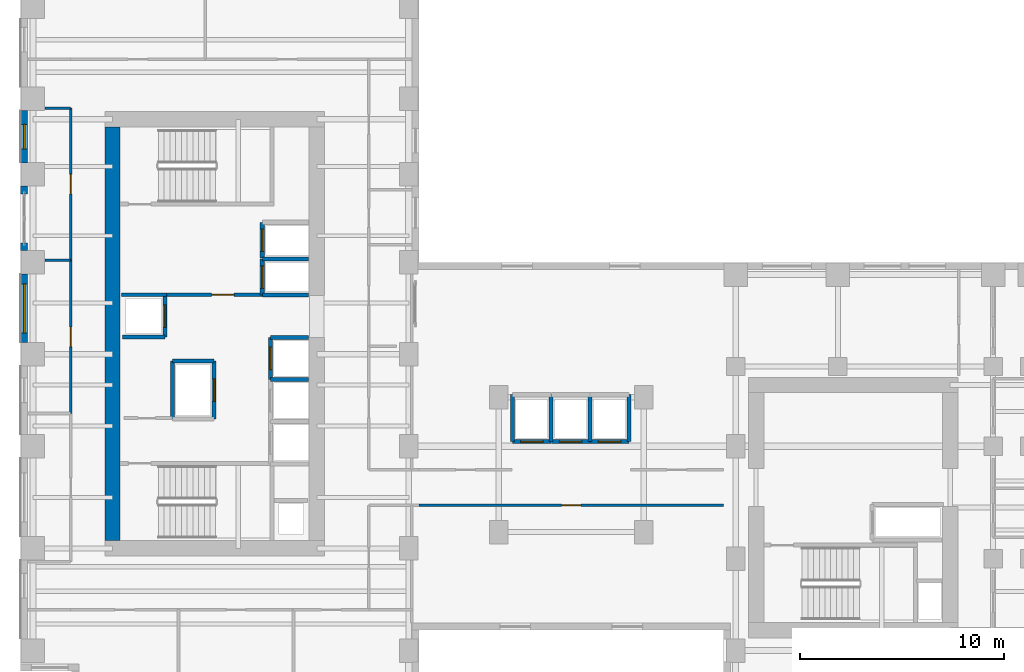
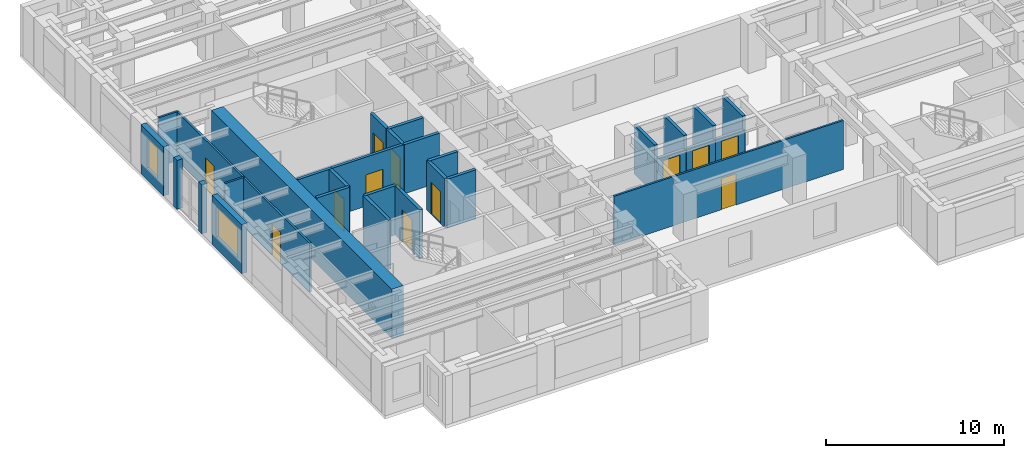
# One storey, part 8 of 14: 31 walls, 12 doors, 2 windows, 14 openings.
"""IFC4 building model written with IfcOpenShell, lengths in metres."""

from ifc_helpers import new_model, si_unit, direction, frame, frame_2d, origin, place, context, subcontext, project, spatial, rectangle, extrude, source, transform, mapped, material, layer, layer_set, type_object, element, fill, save


model = new_model("IFC4")

# Units and contexts
model_context = context("Model", 3, precision=1e-05, world=origin(), true_north=direction((0.0, 1.0)))
body_context = subcontext(model_context, "Body", "Model", "MODEL_VIEW")
ifc_project = project(units=[si_unit("LENGTHUNIT", "METRE"), si_unit("AREAUNIT", "SQUARE_METRE"), si_unit("VOLUMEUNIT", "CUBIC_METRE"), si_unit("PLANEANGLEUNIT", "RADIAN"), si_unit("MASSUNIT", "GRAM", prefix="KILO")], contexts=[model_context])

# Site, building, storey
site_placement = place(None, origin())
site = spatial("IfcSite", under=ifc_project, at=site_placement, CompositionType="ELEMENT")
building_placement = place(site_placement, origin())
building = spatial("IfcBuilding", under=site, at=building_placement, Name="Kharzan Plaza Tower", CompositionType="ELEMENT")
storey_placement = place(building_placement, frame((0.0, 0.0, 81.0)))
storey = spatial("IfcBuildingStorey", under=building, at=storey_placement, Name="L21", CompositionType="ELEMENT", Elevation=81.0)

# Wall, opening, window
ifc_material_1 = material(Name="Concrete C40/50", Category="concrete")
ifc_layer_1 = layer(ifc_material_1, 0.35009765625)
ifc_layer_set_1 = layer_set([ifc_layer_1], Name="Concrete C40/50")
wall_type_1 = type_object("IfcWallType", Name="WL-EXT-MAS-Z2", PredefinedType="SOLIDWALL", material=ifc_layer_set_1)
wall_1_placement = place(storey_placement, frame((0.175048828125, 29.927001953125, 0.0), z_axis=(0.0, 0.0, 1.0), x_axis=(0.0, -1.0, 0.0)))
wall_1 = element("IfcWall", 1, at=wall_1_placement, inside=storey, type_object=wall_type_1, Name="L21 Masonry-Frame Exterior Wall 13", PredefinedType="SOLIDWALL", context=body_context, shape_type="SweptSolid", body=[
    extrude(rectangle(XDim=2.553955078125, YDim=0.35009765625, at=frame_2d((1.27685546875, 0.0))), origin(), (0.0, 0.0, 1.0), 3.364990234375),
])
opening_1_placement = place(wall_1_placement, frame((0.677001953125, 0.0, 0.780029296875)))
opening_1 = element("IfcOpeningElement", 2, at=opening_1_placement, cuts=wall_1, Name="Opening W3", PredefinedType="OPENING", context=body_context, shape_type="SweptSolid", body=[
    extrude(rectangle(XDim=1.199951171875, YDim=2.10009765625, at=frame_2d((0.60009765625, 1.050048828125))), frame((0.0, 0.18505859375, 0.0), z_axis=(0.0, -1.0, 0.0), x_axis=(1.0, 0.0, 0.0)), (0.0, 0.0, 1.0), 0.3701171875),
])
ifc_material_2 = material(Name="Low-E Double Glazing", Category="glass")
window_type_1 = type_object("IfcWindowType", Name="WN-REC-1200x2100", PartitioningType="SINGLE_PANEL", PredefinedType="WINDOW", material=ifc_material_2)
shared_shape_1 = source(origin(), body_context, "Body", "SweptSolid", [
    extrude(rectangle(XDim=1.199951171875, YDim=2.10009765625, at=frame_2d((0.60009765625, 1.050048828125))), frame((0.0, 0.030029296875, 0.0), z_axis=(0.0, -1.0, 0.0), x_axis=(1.0, 0.0, 0.0)), (0.0, 0.0, 1.0), 0.06005859375),
])
window_1_placement = place(opening_1_placement, origin())
window_1 = element("IfcWindow", 3, at=window_1_placement, inside=storey, type_object=window_type_1, Name="L21 Recessed Solar-Control Window 13-1", OverallHeight=2.10009765625, OverallWidth=1.199951171875, PartitioningType="SINGLE_PANEL", PredefinedType="WINDOW", context=body_context, shape_type="MappedRepresentation", body=[
    mapped(shared_shape_1, transform((0.0, 0.0, 0.0), x_axis=(1.0, 0.0, 0.0), y_axis=(0.0, 1.0, 0.0), z_axis=(0.0, 0.0, 1.0))),
])
fill(opening_1, window_1)

wall_2_placement = place(storey_placement, frame((0.175048828125, 21.927001953125, 0.0), z_axis=(0.0, 0.0, 1.0), x_axis=(0.0, -1.0, 0.0)))
wall_2 = element("IfcWall", 4, at=wall_2_placement, inside=storey, type_object=wall_type_1, Name="L21 Masonry-Frame Exterior Wall 16", PredefinedType="SOLIDWALL", context=body_context, shape_type="SweptSolid", body=[
    extrude(rectangle(XDim=3.35400390625, YDim=0.35009765625, at=frame_2d((1.677001953125, 0.0))), origin(), (0.0, 0.0, 1.0), 3.364990234375),
])
opening_2_placement = place(wall_2_placement, frame((0.47705078125, 0.0, 0.780029296875)))
opening_2 = element("IfcOpeningElement", 5, at=opening_2_placement, cuts=wall_2, Name="Opening W2", PredefinedType="OPENING", context=body_context, shape_type="SweptSolid", body=[
    extrude(rectangle(XDim=2.39990234375, YDim=2.10009765625, at=frame_2d((1.199951171875, 1.050048828125))), frame((0.0, 0.18505859375, 0.0), z_axis=(0.0, -1.0, 0.0), x_axis=(1.0, 0.0, 0.0)), (0.0, 0.0, 1.0), 0.3701171875),
])
window_type_2 = type_object("IfcWindowType", Name="WN-REC-2400x2100", PartitioningType="SINGLE_PANEL", PredefinedType="WINDOW", material=ifc_material_2)
shared_shape_2 = source(origin(), body_context, "Body", "SweptSolid", [
    extrude(rectangle(XDim=2.39990234375, YDim=2.10009765625, at=frame_2d((1.199951171875, 1.050048828125))), frame((0.0, 0.030029296875, 0.0), z_axis=(0.0, -1.0, 0.0), x_axis=(1.0, 0.0, 0.0)), (0.0, 0.0, 1.0), 0.06005859375),
])
window_2_placement = place(opening_2_placement, origin())
window_2 = element("IfcWindow", 6, at=window_2_placement, inside=storey, type_object=window_type_2, Name="L21 Wide Recessed Solar-Control Window 16-1", OverallHeight=2.10009765625, OverallWidth=2.39990234375, PartitioningType="SINGLE_PANEL", PredefinedType="WINDOW", context=body_context, shape_type="MappedRepresentation", body=[
    mapped(shared_shape_2, transform((0.0, 0.0, 0.0), x_axis=(1.0, 0.0, 0.0), y_axis=(0.0, 1.0, 0.0), z_axis=(0.0, 0.0, 1.0))),
])
fill(opening_2, window_2)

# Wall, opening, door
ifc_layer_2 = layer(ifc_material_1, 0.179931640625)
ifc_layer_set_2 = layer_set([ifc_layer_2], Name="Concrete C40/50")
wall_type_2 = type_object("IfcWallType", Name="WL-INT-FIRE-180", PredefinedType="PARTITIONING", material=ifc_layer_set_2)
wall_3_placement = place(storey_placement, frame((7.14990234375, 20.919921875, 0.0), z_axis=(0.0, 0.0, 1.0), x_axis=(1.0, 0.0, 0.0)))
wall_3 = element("IfcWall", 7, at=wall_3_placement, inside=storey, type_object=wall_type_2, Name="L21 Interior Partition CA-FF-S", PredefinedType="PARTITIONING", context=body_context, shape_type="SweptSolid", body=[
    extrude(rectangle(XDim=4.68017578125, YDim=0.179931640625, at=frame_2d((2.340087890625, 0.0))), origin(), (0.0, 0.0, 1.0), 3.364990234375),
])
opening_3_placement = place(wall_3_placement, frame((2.199951171875, 0.0, 0.0)))
opening_3 = element("IfcOpeningElement", 8, at=opening_3_placement, cuts=wall_3, Name="Opening FD1", PredefinedType="OPENING", context=body_context, shape_type="SweptSolid", body=[
    extrude(rectangle(XDim=1.10009765625, YDim=2.14990234375, at=frame_2d((0.550048828125, 1.074951171875))), frame((0.0, 0.099853515625, 0.0), z_axis=(0.0, -1.0, 0.0), x_axis=(1.0, 0.0, 0.0)), (0.0, 0.0, 1.0), 0.199951171875),
])
ifc_material_3 = material(Name="Fire-Rated Acoustic Vision-Panel Steel", Category="steel")
door_type_1 = type_object("IfcDoorType", Name="DR-FIRE-LOBBY", OperationType="NOTDEFINED", PredefinedType="DOOR", material=ifc_material_3)
shared_shape_3 = source(origin(), body_context, "Body", "SweptSolid", [
    extrude(rectangle(XDim=1.10009765625, YDim=2.14990234375, at=frame_2d((0.550048828125, 1.074951171875))), frame((0.0, 0.02490234375, 0.0), z_axis=(0.0, -1.0, 0.0), x_axis=(1.0, 0.0, 0.0)), (0.0, 0.0, 1.0), 0.050048828125),
])
door_1_placement = place(opening_3_placement, origin())
door_1 = element("IfcDoor", 9, at=door_1_placement, inside=storey, type_object=door_type_1, Name="L21 Firefighting Lobby Door", OperationType="SINGLE_SWING_LEFT", OverallHeight=2.14990234375, OverallWidth=1.10009765625, PredefinedType="DOOR", context=body_context, shape_type="MappedRepresentation", body=[
    mapped(shared_shape_3, transform((0.0, 0.0, 0.0), x_axis=(1.0, 0.0, 0.0), y_axis=(0.0, 1.0, 0.0), z_axis=(0.0, 0.0, 1.0))),
])
fill(opening_3, door_1)

ifc_material_4 = material(Name="Fire-Rated Gypsum Board Partition", Category="gypsum")
ifc_layer_3 = layer(ifc_material_4, 0.125)
ifc_layer_set_3 = layer_set([ifc_layer_3], Name="Fire-Rated Gypsum Board Partition")
wall_type_3 = type_object("IfcWallType", Name="WL-INT-PART-125", PredefinedType="PARTITIONING", material=ifc_layer_set_3)
wall_4_placement = place(storey_placement, frame((19.5, 10.60009765625, 0.0), z_axis=(0.0, 0.0, 1.0), x_axis=(1.0, 0.0, 0.0)))
wall_4 = element("IfcWall", 10, at=wall_4_placement, inside=storey, type_object=wall_type_3, Name="L21 Interior Partition SH-SPS1", PredefinedType="PARTITIONING", context=body_context, shape_type="SweptSolid", body=[
    extrude(rectangle(XDim=14.89990234375, YDim=0.125, at=frame_2d((7.449951171875, 0.0))), origin(), (0.0, 0.0, 1.0), 3.364990234375),
])
opening_4_placement = place(wall_4_placement, frame((6.97509765625, 0.0, 0.0)))
opening_4 = element("IfcOpeningElement", 11, at=opening_4_placement, cuts=wall_4, Name="Opening OD1", PredefinedType="OPENING", context=body_context, shape_type="SweptSolid", body=[
    extrude(rectangle(XDim=0.949951171875, YDim=2.14990234375, at=frame_2d((0.47509765625, 1.074951171875))), frame((0.0, 0.072509765625, 0.0), z_axis=(0.0, -1.0, 0.0), x_axis=(1.0, 0.0, 0.0)), (0.0, 0.0, 1.0), 0.14501953125),
])
ifc_material_5 = material(Name="Acoustic Solid-Core Stained Oak", Category="timber")
door_type_2 = type_object("IfcDoorType", Name="DR-OFF-SINGLE", OperationType="NOTDEFINED", PredefinedType="DOOR", material=ifc_material_5)
shared_shape_4 = source(origin(), body_context, "Body", "SweptSolid", [
    extrude(rectangle(XDim=0.949951171875, YDim=2.14990234375, at=frame_2d((0.47509765625, 1.074951171875))), frame((0.0, 0.02490234375, 0.0), z_axis=(0.0, -1.0, 0.0), x_axis=(1.0, 0.0, 0.0)), (0.0, 0.0, 1.0), 0.050048828125),
])
door_2_placement = place(opening_4_placement, origin())
door_2 = element("IfcDoor", 12, at=door_2_placement, inside=storey, type_object=door_type_2, Name="L21 South Spine Studio Door", OperationType="SINGLE_SWING_LEFT", OverallHeight=2.14990234375, OverallWidth=0.949951171875, PredefinedType="DOOR", context=body_context, shape_type="MappedRepresentation", body=[
    mapped(shared_shape_4, transform((0.0, 0.0, 0.0), x_axis=(1.0, 0.0, 0.0), y_axis=(0.0, 1.0, 0.0), z_axis=(0.0, 0.0, 1.0))),
])
fill(opening_4, door_2)

wall_5_placement = place(storey_placement, frame((2.449951171875, 15.10009765625, 0.0), z_axis=(0.0, 0.0, 1.0), x_axis=(0.0, 1.0, 0.0)))
wall_5 = element("IfcWall", 13, at=wall_5_placement, inside=storey, type_object=wall_type_3, Name="L21 Interior Partition SH-WW-2", PredefinedType="PARTITIONING", context=body_context, shape_type="SweptSolid", body=[
    extrude(rectangle(XDim=7.5, YDim=0.125, at=frame_2d((3.75, 0.0))), origin(), (0.0, 0.0, 1.0), 3.364990234375),
])
opening_5_placement = place(wall_5_placement, frame((3.27490234375, 0.0, 0.0)))
opening_5 = element("IfcOpeningElement", 14, at=opening_5_placement, cuts=wall_5, Name="Opening OD1", PredefinedType="OPENING", context=body_context, shape_type="SweptSolid", body=[
    extrude(rectangle(XDim=0.949951171875, YDim=2.14990234375, at=frame_2d((0.47509765625, 1.074951171875))), frame((0.0, 0.072509765625, 0.0), z_axis=(0.0, -1.0, 0.0), x_axis=(1.0, 0.0, 0.0)), (0.0, 0.0, 1.0), 0.14501953125),
])
door_3_placement = place(opening_5_placement, origin())
door_3 = element("IfcDoor", 15, at=door_3_placement, inside=storey, type_object=door_type_2, Name="L21 Client Briefing Room Door", OperationType="SINGLE_SWING_LEFT", OverallHeight=2.14990234375, OverallWidth=0.949951171875, PredefinedType="DOOR", context=body_context, shape_type="MappedRepresentation", body=[
    mapped(shared_shape_4, transform((0.0, 0.0, 0.0), x_axis=(1.0, 0.0, 0.0), y_axis=(0.0, 1.0, 0.0), z_axis=(0.0, 0.0, 1.0))),
])
fill(opening_5, door_3)

wall_6_placement = place(storey_placement, frame((2.449951171875, 22.60009765625, 0.0), z_axis=(0.0, 0.0, 1.0), x_axis=(0.0, 1.0, 0.0)))
wall_6 = element("IfcWall", 16, at=wall_6_placement, inside=storey, type_object=wall_type_3, Name="L21 Interior Partition SH-WW-3", PredefinedType="PARTITIONING", context=body_context, shape_type="SweptSolid", body=[
    extrude(rectangle(XDim=7.449951171875, YDim=0.125, at=frame_2d((3.72509765625, 0.0))), origin(), (0.0, 0.0, 1.0), 3.364990234375),
])
opening_6_placement = place(wall_6_placement, frame((3.25, 0.0, 0.0)))
opening_6 = element("IfcOpeningElement", 17, at=opening_6_placement, cuts=wall_6, Name="Opening OD1", PredefinedType="OPENING", context=body_context, shape_type="SweptSolid", body=[
    extrude(rectangle(XDim=0.949951171875, YDim=2.14990234375, at=frame_2d((0.47509765625, 1.074951171875))), frame((0.0, 0.072509765625, 0.0), z_axis=(0.0, -1.0, 0.0), x_axis=(1.0, 0.0, 0.0)), (0.0, 0.0, 1.0), 0.14501953125),
])
door_4_placement = place(opening_6_placement, origin())
door_4 = element("IfcDoor", 18, at=door_4_placement, inside=storey, type_object=door_type_2, Name="L21 Executive Boardroom Door", OperationType="SINGLE_SWING_RIGHT", OverallHeight=2.14990234375, OverallWidth=0.949951171875, PredefinedType="DOOR", context=body_context, shape_type="MappedRepresentation", body=[
    mapped(shared_shape_4, transform((0.0, 0.0, 0.0), x_axis=(1.0, 0.0, 0.0), y_axis=(0.0, 1.0, 0.0), z_axis=(0.0, 0.0, 1.0))),
])
fill(opening_6, door_4)

ifc_layer_4 = layer(ifc_material_1, 0.199951171875)
ifc_layer_set_4 = layer_set([ifc_layer_4], Name="Concrete C40/50")
wall_type_4 = type_object("IfcWallType", Name="WL-INT-SHAFT-200", PredefinedType="PARTITIONING", material=ifc_layer_set_4)
wall_7_placement = place(storey_placement, frame((11.830078125, 20.89990234375, 0.0), z_axis=(0.0, 0.0, 1.0), x_axis=(0.0, 1.0, 0.0)))
wall_7 = element("IfcWall", 19, at=wall_7_placement, inside=storey, type_object=wall_type_4, Name="L21 Interior Partition SHF-FFL-1-W", PredefinedType="PARTITIONING", context=body_context, shape_type="SweptSolid", body=[
    extrude(rectangle(XDim=1.760009765625, YDim=0.199951171875, at=frame_2d((0.8798828125, 0.0))), origin(), (0.0, 0.0, 1.0), 3.364990234375),
])
opening_7_placement = place(wall_7_placement, frame((0.330078125, 0.0, 0.0)))
opening_7 = element("IfcOpeningElement", 20, at=opening_7_placement, cuts=wall_7, Name="Opening LD", PredefinedType="OPENING", context=body_context, shape_type="SweptSolid", body=[
    extrude(rectangle(XDim=1.10009765625, YDim=2.199951171875, at=frame_2d((0.550048828125, 1.10009765625))), frame((0.0, 0.10986328125, 0.0), z_axis=(0.0, -1.0, 0.0), x_axis=(1.0, 0.0, 0.0)), (0.0, 0.0, 1.0), 0.219970703125),
])
ifc_material_6 = material(Name="Brushed Stainless Steel", Category="steel")
door_type_3 = type_object("IfcDoorType", Name="DR-LIFT-SLIDE", OperationType="SLIDING_TO_LEFT", PredefinedType="DOOR", material=ifc_material_6)
shared_shape_5 = source(origin(), body_context, "Body", "SweptSolid", [
    extrude(rectangle(XDim=1.10009765625, YDim=2.199951171875, at=frame_2d((0.550048828125, 1.10009765625))), frame((0.0, 0.02490234375, 0.0), z_axis=(0.0, -1.0, 0.0), x_axis=(1.0, 0.0, 0.0)), (0.0, 0.0, 1.0), 0.050048828125),
])
door_5_placement = place(opening_7_placement, origin())
door_5 = element("IfcDoor", 21, at=door_5_placement, inside=storey, type_object=door_type_3, Name="L21 Firefighting Lift FFL-1 Sliding Landing Door", OperationType="SLIDING_TO_LEFT", OverallHeight=2.199951171875, OverallWidth=1.10009765625, PredefinedType="DOOR", context=body_context, shape_type="MappedRepresentation", body=[
    mapped(shared_shape_5, transform((0.0, 0.0, 0.0), x_axis=(1.0, 0.0, 0.0), y_axis=(0.0, 1.0, 0.0), z_axis=(0.0, 0.0, 1.0))),
])
fill(opening_7, door_5)

wall_8_placement = place(storey_placement, frame((11.830078125, 22.699951171875, 0.0), z_axis=(0.0, 0.0, 1.0), x_axis=(0.0, 1.0, 0.0)))
wall_8 = element("IfcWall", 22, at=wall_8_placement, inside=storey, type_object=wall_type_4, Name="L21 Interior Partition SHF-FFL-2-W", PredefinedType="PARTITIONING", context=body_context, shape_type="SweptSolid", body=[
    extrude(rectangle(XDim=1.760009765625, YDim=0.199951171875, at=frame_2d((0.8798828125, 0.0))), origin(), (0.0, 0.0, 1.0), 3.364990234375),
])
opening_8_placement = place(wall_8_placement, frame((0.330078125, 0.0, 0.0)))
opening_8 = element("IfcOpeningElement", 23, at=opening_8_placement, cuts=wall_8, Name="Opening LD", PredefinedType="OPENING", context=body_context, shape_type="SweptSolid", body=[
    extrude(rectangle(XDim=1.10009765625, YDim=2.199951171875, at=frame_2d((0.550048828125, 1.10009765625))), frame((0.0, 0.10986328125, 0.0), z_axis=(0.0, -1.0, 0.0), x_axis=(1.0, 0.0, 0.0)), (0.0, 0.0, 1.0), 0.219970703125),
])
door_6_placement = place(opening_8_placement, origin())
door_6 = element("IfcDoor", 24, at=door_6_placement, inside=storey, type_object=door_type_3, Name="L21 Firefighting Lift FFL-2 Sliding Landing Door", OperationType="SLIDING_TO_LEFT", OverallHeight=2.199951171875, OverallWidth=1.10009765625, PredefinedType="DOOR", context=body_context, shape_type="MappedRepresentation", body=[
    mapped(shared_shape_5, transform((0.0, 0.0, 0.0), x_axis=(1.0, 0.0, 0.0), y_axis=(0.0, 1.0, 0.0), z_axis=(0.0, 0.0, 1.0))),
])
fill(opening_8, door_6)

wall_9_placement = place(storey_placement, frame((12.22998046875, 16.77001953125, 0.0), z_axis=(0.0, 0.0, 1.0), x_axis=(0.0, 1.0, 0.0)))
wall_9 = element("IfcWall", 25, at=wall_9_placement, inside=storey, type_object=wall_type_4, Name="L21 Interior Partition SHF-PL-H3-W", PredefinedType="PARTITIONING", context=body_context, shape_type="SweptSolid", body=[
    extrude(rectangle(XDim=2.050048828125, YDim=0.199951171875, at=frame_2d((1.02490234375, 0.0))), origin(), (0.0, 0.0, 1.0), 3.364990234375),
])
opening_9_placement = place(wall_9_placement, frame((0.47509765625, 0.0, 0.0)))
opening_9 = element("IfcOpeningElement", 26, at=opening_9_placement, cuts=wall_9, Name="Opening LD", PredefinedType="OPENING", context=body_context, shape_type="SweptSolid", body=[
    extrude(rectangle(XDim=1.10009765625, YDim=2.199951171875, at=frame_2d((0.550048828125, 1.10009765625))), frame((0.0, 0.10986328125, 0.0), z_axis=(0.0, -1.0, 0.0), x_axis=(1.0, 0.0, 0.0)), (0.0, 0.0, 1.0), 0.219970703125),
])
door_7_placement = place(opening_9_placement, origin())
door_7 = element("IfcDoor", 27, at=door_7_placement, inside=storey, type_object=door_type_3, Name="L21 High-Rise Passenger Lift PL-H3 Sliding Landing Door", OperationType="SLIDING_TO_LEFT", OverallHeight=2.199951171875, OverallWidth=1.10009765625, PredefinedType="DOOR", context=body_context, shape_type="MappedRepresentation", body=[
    mapped(shared_shape_5, transform((0.0, 0.0, 0.0), x_axis=(1.0, 0.0, 0.0), y_axis=(0.0, 1.0, 0.0), z_axis=(0.0, 0.0, 1.0))),
])
fill(opening_9, door_7)

wall_10_placement = place(storey_placement, frame((7.070068359375, 18.840087890625, 0.0), z_axis=(0.0, 0.0, 1.0), x_axis=(0.0, 1.0, 0.0)))
wall_10 = element("IfcWall", 28, at=wall_10_placement, inside=storey, type_object=wall_type_4, Name="L21 Interior Partition SHF-PL-H4-E", PredefinedType="PARTITIONING", context=body_context, shape_type="SweptSolid", body=[
    extrude(rectangle(XDim=2.059814453125, YDim=0.199951171875, at=frame_2d((1.02978515625, 0.0))), origin(), (0.0, 0.0, 1.0), 3.364990234375),
])
opening_10_placement = place(wall_10_placement, frame((0.47998046875, 0.0, 0.0)))
opening_10 = element("IfcOpeningElement", 29, at=opening_10_placement, cuts=wall_10, Name="Opening LD", PredefinedType="OPENING", context=body_context, shape_type="SweptSolid", body=[
    extrude(rectangle(XDim=1.10009765625, YDim=2.199951171875, at=frame_2d((0.550048828125, 1.10009765625))), frame((0.0, 0.10986328125, 0.0), z_axis=(0.0, -1.0, 0.0), x_axis=(1.0, 0.0, 0.0)), (0.0, 0.0, 1.0), 0.219970703125),
])
door_8_placement = place(opening_10_placement, origin())
door_8 = element("IfcDoor", 30, at=door_8_placement, inside=storey, type_object=door_type_3, Name="L21 High-Rise Passenger Lift PL-H4 Sliding Landing Door", OperationType="SLIDING_TO_LEFT", OverallHeight=2.199951171875, OverallWidth=1.10009765625, PredefinedType="DOOR", context=body_context, shape_type="MappedRepresentation", body=[
    mapped(shared_shape_5, transform((0.0, 0.0, 0.0), x_axis=(1.0, 0.0, 0.0), y_axis=(0.0, 1.0, 0.0), z_axis=(0.0, 0.0, 1.0))),
])
fill(opening_10, door_8)

wall_11_placement = place(storey_placement, frame((24.080078125, 13.72998046875, 0.0), z_axis=(0.0, 0.0, 1.0), x_axis=(1.0, 0.0, 0.0)))
wall_11 = element("IfcWall", 31, at=wall_11_placement, inside=storey, type_object=wall_type_4, Name="L21 Interior Partition SHF-PL-M1-S", PredefinedType="PARTITIONING", context=body_context, shape_type="SweptSolid", body=[
    extrude(rectangle(XDim=1.889892578125, YDim=0.199951171875, at=frame_2d((0.94482421875, 0.0))), origin(), (0.0, 0.0, 1.0), 2.446044921875),
])
opening_11_placement = place(wall_11_placement, frame((0.39501953125, 0.0, 0.0)))
opening_11 = element("IfcOpeningElement", 32, at=opening_11_placement, cuts=wall_11, Name="Opening LD", PredefinedType="OPENING", context=body_context, shape_type="SweptSolid", body=[
    extrude(rectangle(XDim=1.10009765625, YDim=2.199951171875, at=frame_2d((0.550048828125, 1.10009765625))), frame((0.0, 0.10986328125, 0.0), z_axis=(0.0, -1.0, 0.0), x_axis=(1.0, 0.0, 0.0)), (0.0, 0.0, 1.0), 0.219970703125),
])
door_9_placement = place(opening_11_placement, origin())
door_9 = element("IfcDoor", 33, at=door_9_placement, inside=storey, type_object=door_type_3, Name="L21 Mid-Rise Passenger Lift PL-M1 Sliding Landing Door", OperationType="SLIDING_TO_LEFT", OverallHeight=2.199951171875, OverallWidth=1.10009765625, PredefinedType="DOOR", context=body_context, shape_type="MappedRepresentation", body=[
    mapped(shared_shape_5, transform((0.0, 0.0, 0.0), x_axis=(1.0, 0.0, 0.0), y_axis=(0.0, 1.0, 0.0), z_axis=(0.0, 0.0, 1.0))),
])
fill(opening_11, door_9)

wall_12_placement = place(storey_placement, frame((25.97998046875, 13.72998046875, 0.0), z_axis=(0.0, 0.0, 1.0), x_axis=(1.0, 0.0, 0.0)))
wall_12 = element("IfcWall", 34, at=wall_12_placement, inside=storey, type_object=wall_type_4, Name="L21 Interior Partition SHF-PL-M2-S", PredefinedType="PARTITIONING", context=body_context, shape_type="SweptSolid", body=[
    extrude(rectangle(XDim=1.89013671875, YDim=0.199951171875, at=frame_2d((0.945068359375, 0.0))), origin(), (0.0, 0.0, 1.0), 2.446044921875),
])
opening_12_placement = place(wall_12_placement, frame((0.39501953125, 0.0, 0.0)))
opening_12 = element("IfcOpeningElement", 35, at=opening_12_placement, cuts=wall_12, Name="Opening LD", PredefinedType="OPENING", context=body_context, shape_type="SweptSolid", body=[
    extrude(rectangle(XDim=1.10009765625, YDim=2.199951171875, at=frame_2d((0.550048828125, 1.10009765625))), frame((0.0, 0.10986328125, 0.0), z_axis=(0.0, -1.0, 0.0), x_axis=(1.0, 0.0, 0.0)), (0.0, 0.0, 1.0), 0.219970703125),
])
door_10_placement = place(opening_12_placement, origin())
door_10 = element("IfcDoor", 36, at=door_10_placement, inside=storey, type_object=door_type_3, Name="L21 Mid-Rise Passenger Lift PL-M2 Sliding Landing Door", OperationType="SLIDING_TO_LEFT", OverallHeight=2.199951171875, OverallWidth=1.10009765625, PredefinedType="DOOR", context=body_context, shape_type="MappedRepresentation", body=[
    mapped(shared_shape_5, transform((0.0, 0.0, 0.0), x_axis=(1.0, 0.0, 0.0), y_axis=(0.0, 1.0, 0.0), z_axis=(0.0, 0.0, 1.0))),
])
fill(opening_12, door_10)

wall_13_placement = place(storey_placement, frame((27.8798828125, 13.72998046875, 0.0), z_axis=(0.0, 0.0, 1.0), x_axis=(1.0, 0.0, 0.0)))
wall_13 = element("IfcWall", 37, at=wall_13_placement, inside=storey, type_object=wall_type_4, Name="L21 Interior Partition SHF-PL-M3-S", PredefinedType="PARTITIONING", context=body_context, shape_type="SweptSolid", body=[
    extrude(rectangle(XDim=1.89013671875, YDim=0.199951171875, at=frame_2d((0.945068359375, 0.0))), origin(), (0.0, 0.0, 1.0), 2.446044921875),
])
opening_13_placement = place(wall_13_placement, frame((0.39501953125, 0.0, 0.0)))
opening_13 = element("IfcOpeningElement", 38, at=opening_13_placement, cuts=wall_13, Name="Opening LD", PredefinedType="OPENING", context=body_context, shape_type="SweptSolid", body=[
    extrude(rectangle(XDim=1.10009765625, YDim=2.199951171875, at=frame_2d((0.550048828125, 1.10009765625))), frame((0.0, 0.10986328125, 0.0), z_axis=(0.0, -1.0, 0.0), x_axis=(1.0, 0.0, 0.0)), (0.0, 0.0, 1.0), 0.219970703125),
])
door_11_placement = place(opening_13_placement, origin())
door_11 = element("IfcDoor", 39, at=door_11_placement, inside=storey, type_object=door_type_3, Name="L21 Mid-Rise Passenger Lift PL-M3 Sliding Landing Door", OperationType="SLIDING_TO_LEFT", OverallHeight=2.199951171875, OverallWidth=1.10009765625, PredefinedType="DOOR", context=body_context, shape_type="MappedRepresentation", body=[
    mapped(shared_shape_5, transform((0.0, 0.0, 0.0), x_axis=(1.0, 0.0, 0.0), y_axis=(0.0, 1.0, 0.0), z_axis=(0.0, 0.0, 1.0))),
])
fill(opening_13, door_11)

wall_14_placement = place(storey_placement, frame((9.469970703125, 14.830078125, 0.0), z_axis=(0.0, 0.0, 1.0), x_axis=(0.0, 1.0, 0.0)))
wall_14 = element("IfcWall", 40, at=wall_14_placement, inside=storey, type_object=wall_type_4, Name="L21 Interior Partition SHF-SVL-1-E", PredefinedType="PARTITIONING", context=body_context, shape_type="SweptSolid", body=[
    extrude(rectangle(XDim=2.83984375, YDim=0.199951171875, at=frame_2d((1.419921875, 0.0))), origin(), (0.0, 0.0, 1.0), 3.364990234375),
])
opening_14_placement = place(wall_14_placement, frame((0.8701171875, 0.0, 0.0)))
opening_14 = element("IfcOpeningElement", 41, at=opening_14_placement, cuts=wall_14, Name="Opening LD", PredefinedType="OPENING", context=body_context, shape_type="SweptSolid", body=[
    extrude(rectangle(XDim=1.10009765625, YDim=2.199951171875, at=frame_2d((0.550048828125, 1.10009765625))), frame((0.0, 0.10986328125, 0.0), z_axis=(0.0, -1.0, 0.0), x_axis=(1.0, 0.0, 0.0)), (0.0, 0.0, 1.0), 0.219970703125),
])
door_12_placement = place(opening_14_placement, origin())
door_12 = element("IfcDoor", 42, at=door_12_placement, inside=storey, type_object=door_type_3, Name="L21 Service Lift SVL-1 Sliding Landing Door", OperationType="SLIDING_TO_LEFT", OverallHeight=2.199951171875, OverallWidth=1.10009765625, PredefinedType="DOOR", context=body_context, shape_type="MappedRepresentation", body=[
    mapped(shared_shape_5, transform((0.0, 0.0, 0.0), x_axis=(1.0, 0.0, 0.0), y_axis=(0.0, 1.0, 0.0), z_axis=(0.0, 0.0, 1.0))),
])
fill(opening_14, door_12)

# Walls
shared_shape_6 = source(origin(), body_context, "Body", "SweptSolid", [
    extrude(rectangle(XDim=2.090087890625, YDim=0.199951171875, at=frame_2d((1.044921875, 0.0))), origin(), (0.0, 0.0, 1.0), 3.364990234375),
])
wall_15_placement = place(storey_placement, frame((4.97998046875, 18.840087890625, 0.0), z_axis=(0.0, 0.0, 1.0), x_axis=(1.0, 0.0, 0.0)))
element("IfcWall", 43, at=wall_15_placement, inside=storey, type_object=wall_type_4, Name="L21 Interior Partition SHF-PL-H4-S", PredefinedType="PARTITIONING", context=body_context, shape_type="MappedRepresentation", body=[
    mapped(shared_shape_6, transform((0.0, 0.0, 0.0), x_axis=(1.0, 0.0, 0.0), y_axis=(0.0, 1.0, 0.0), z_axis=(0.0, 0.0, 1.0))),
])
shared_shape_7 = source(origin(), body_context, "Body", "SweptSolid", [
    extrude(rectangle(XDim=2.2900390625, YDim=0.199951171875, at=frame_2d((1.14501953125, 0.0))), origin(), (0.0, 0.0, 1.0), 3.364990234375),
])
for number, where, z_axis, x_axis, name in (
    (44, (25.969970703125, 13.72998046875, 0.0), (0.0, 0.0, 1.0), (0.0, 1.0, 0.0), "L21 Interior Partition SHF-PL-M1-E"),
    (45, (24.080078125, 13.72998046875, 0.0), (0.0, 0.0, 1.0), (0.0, 1.0, 0.0), "L21 Interior Partition SHF-PL-M1-W"),
    (46, (27.8701171875, 13.72998046875, 0.0), (0.0, 0.0, 1.0), (0.0, 1.0, 0.0), "L21 Interior Partition SHF-PL-M2-E"),
    (47, (29.77001953125, 13.72998046875, 0.0), (0.0, 0.0, 1.0), (0.0, 1.0, 0.0), "L21 Interior Partition SHF-PL-M3-E"),
):
    element("IfcWall", number, at=place(storey_placement, frame(where, z_axis=z_axis, x_axis=x_axis)), inside=storey, type_object=wall_type_4, Name=name, PredefinedType="PARTITIONING", context=body_context, shape_type="MappedRepresentation", body=[
        mapped(shared_shape_7, transform((0.0, 0.0, 0.0), x_axis=(1.0, 0.0, 0.0), y_axis=(0.0, 1.0, 0.0), z_axis=(0.0, 0.0, 1.0))),
    ])
shared_shape_8 = source(origin(), body_context, "Body", "SweptSolid", [
    extrude(rectangle(XDim=2.0400390625, YDim=0.199951171875, at=frame_2d((1.02001953125, 0.0))), origin(), (0.0, 0.0, 1.0), 3.364990234375),
])
wall_16_placement = place(storey_placement, frame((7.429931640625, 17.669921875, 0.0), z_axis=(0.0, 0.0, 1.0), x_axis=(1.0, 0.0, 0.0)))
element("IfcWall", 48, at=wall_16_placement, inside=storey, type_object=wall_type_4, Name="L21 Interior Partition SHF-SVL-1-N", PredefinedType="PARTITIONING", context=body_context, shape_type="MappedRepresentation", body=[
    mapped(shared_shape_8, transform((0.0, 0.0, 0.0), x_axis=(1.0, 0.0, 0.0), y_axis=(0.0, 1.0, 0.0), z_axis=(0.0, 0.0, 1.0))),
])
shared_shape_9 = source(origin(), body_context, "Body", "SweptSolid", [
    extrude(rectangle(XDim=2.83984375, YDim=0.199951171875, at=frame_2d((1.419921875, 0.0))), origin(), (0.0, 0.0, 1.0), 3.364990234375),
])
wall_17_placement = place(storey_placement, frame((7.429931640625, 14.830078125, 0.0), z_axis=(0.0, 0.0, 1.0), x_axis=(0.0, 1.0, 0.0)))
element("IfcWall", 49, at=wall_17_placement, inside=storey, type_object=wall_type_4, Name="L21 Interior Partition SHF-SVL-1-W", PredefinedType="PARTITIONING", context=body_context, shape_type="MappedRepresentation", body=[
    mapped(shared_shape_9, transform((0.0, 0.0, 0.0), x_axis=(1.0, 0.0, 0.0), y_axis=(0.0, 1.0, 0.0), z_axis=(0.0, 0.0, 1.0))),
])
shared_shape_10 = source(origin(), body_context, "Body", "SweptSolid", [
    extrude(rectangle(XDim=0.376953125, YDim=0.35009765625, at=frame_2d((0.1884765625, 0.0))), origin(), (0.0, 0.0, 1.0), 3.364990234375),
])
for number, where, z_axis, x_axis, name in (
    (50, (0.175048828125, 26.22705078125, 0.0), (0.0, 0.0, 1.0), (0.0, -1.0, 0.0), "L21 Masonry-Frame Exterior Wall 14"),
    (51, (0.175048828125, 23.449951171875, 0.0), (0.0, 0.0, 1.0), (0.0, -1.0, 0.0), "L21 Masonry-Frame Exterior Wall 15"),
):
    element("IfcWall", number, at=place(storey_placement, frame(where, z_axis=z_axis, x_axis=x_axis)), inside=storey, type_object=wall_type_1, Name=name, PredefinedType="SOLIDWALL", context=body_context, shape_type="MappedRepresentation", body=[
        mapped(shared_shape_10, transform((0.0, 0.0, 0.0), x_axis=(1.0, 0.0, 0.0), y_axis=(0.0, 1.0, 0.0), z_axis=(0.0, 0.0, 1.0))),
    ])
shared_shape_11 = source(origin(), body_context, "Body", "SweptSolid", [
    extrude(rectangle(XDim=2.199951171875, YDim=0.179931640625, at=frame_2d((1.10009765625, 0.0))), origin(), (0.0, 0.0, 1.0), 3.364990234375),
])
wall_18_placement = place(storey_placement, frame((4.949951171875, 20.919921875, 0.0), z_axis=(0.0, 0.0, 1.0), x_axis=(1.0, 0.0, 0.0)))
element("IfcWall", 52, at=wall_18_placement, inside=storey, type_object=wall_type_2, Name="L21 Interior Partition CA-FF-SW", PredefinedType="PARTITIONING", context=body_context, shape_type="MappedRepresentation", body=[
    mapped(shared_shape_11, transform((0.0, 0.0, 0.0), x_axis=(1.0, 0.0, 0.0), y_axis=(0.0, 1.0, 0.0), z_axis=(0.0, 0.0, 1.0))),
])
shared_shape_12 = source(origin(), body_context, "Body", "SweptSolid", [
    extrude(rectangle(XDim=1.260009765625, YDim=0.125, at=frame_2d((0.6298828125, 0.0))), origin(), (0.0, 0.0, 1.0), 3.364990234375),
])
for number, where, z_axis, x_axis, name in (
    (53, (1.18994140625, 30.050048828125, 0.0), (0.0, 0.0, 1.0), (1.0, 0.0, 0.0), "L21 Interior Partition SH-RWN0"),
    (54, (1.18994140625, 22.60009765625, 0.0), (0.0, 0.0, 1.0), (1.0, 0.0, 0.0), "L21 Interior Partition SH-WH-2"),
):
    element("IfcWall", number, at=place(storey_placement, frame(where, z_axis=z_axis, x_axis=x_axis)), inside=storey, type_object=wall_type_3, Name=name, PredefinedType="PARTITIONING", context=body_context, shape_type="MappedRepresentation", body=[
        mapped(shared_shape_12, transform((0.0, 0.0, 0.0), x_axis=(1.0, 0.0, 0.0), y_axis=(0.0, 1.0, 0.0), z_axis=(0.0, 0.0, 1.0))),
    ])
shared_shape_13 = source(origin(), body_context, "Body", "SweptSolid", [
    extrude(rectangle(XDim=2.264892578125, YDim=0.199951171875, at=frame_2d((1.13232421875, 0.0))), origin(), (0.0, 0.0, 1.0), 3.364990234375),
])
for number, where, z_axis, x_axis, name in (
    (55, (11.830078125, 22.659912109375, 0.0), (0.0, 0.0, 1.0), (1.0, 0.0, 0.0), "L21 Interior Partition SHF-FFL-1-N"),
    (56, (11.830078125, 20.89990234375, 0.0), (0.0, 0.0, 1.0), (1.0, 0.0, 0.0), "L21 Interior Partition SHF-FFL-1-S"),
):
    element("IfcWall", number, at=place(storey_placement, frame(where, z_axis=z_axis, x_axis=x_axis)), inside=storey, type_object=wall_type_4, Name=name, PredefinedType="PARTITIONING", context=body_context, shape_type="MappedRepresentation", body=[
        mapped(shared_shape_13, transform((0.0, 0.0, 0.0), x_axis=(1.0, 0.0, 0.0), y_axis=(0.0, 1.0, 0.0), z_axis=(0.0, 0.0, 1.0))),
    ])
shared_shape_14 = source(origin(), body_context, "Body", "SweptSolid", [
    extrude(rectangle(XDim=1.864990234375, YDim=0.199951171875, at=frame_2d((0.9326171875, 0.0))), origin(), (0.0, 0.0, 1.0), 3.364990234375),
])
for number, where, z_axis, x_axis, name in (
    (57, (12.22998046875, 16.77001953125, 0.0), (0.0, 0.0, 1.0), (1.0, 0.0, 0.0), "L21 Interior Partition SHF-PL-H2-N"),
    (58, (12.22998046875, 18.820068359375, 0.0), (0.0, 0.0, 1.0), (1.0, 0.0, 0.0), "L21 Interior Partition SHF-PL-H3-N"),
):
    element("IfcWall", number, at=place(storey_placement, frame(where, z_axis=z_axis, x_axis=x_axis)), inside=storey, type_object=wall_type_4, Name=name, PredefinedType="PARTITIONING", context=body_context, shape_type="MappedRepresentation", body=[
        mapped(shared_shape_14, transform((0.0, 0.0, 0.0), x_axis=(1.0, 0.0, 0.0), y_axis=(0.0, 1.0, 0.0), z_axis=(0.0, 0.0, 1.0))),
    ])
ifc_material_7 = material(Name="Concrete C60/75", Category="concrete")
ifc_layer_5 = layer(ifc_material_7, 0.75)
ifc_layer_set_5 = layer_set([ifc_layer_5], Name="Concrete C60/75")
wall_type_5 = type_object("IfcWallType", Name="WL-CORE-750", PredefinedType="SHEAR", material=ifc_layer_set_5)
shared_shape_15 = source(origin(), body_context, "Body", "SweptSolid", [
    extrude(rectangle(XDim=20.25, YDim=0.75, at=frame_2d((10.125, 0.0))), origin(), (0.0, 0.0, 1.0), 3.3798828125),
])
wall_19_placement = place(storey_placement, frame((4.5, 8.875, 0.0), z_axis=(0.0, 0.0, 1.0), x_axis=(0.0, 1.0, 0.0)))
element("IfcWall", 59, at=wall_19_placement, inside=storey, type_object=wall_type_5, Name="L21 CORE-A west RC shear wall", PredefinedType="SHEAR", context=body_context, shape_type="MappedRepresentation", body=[
    mapped(shared_shape_15, transform((0.0, 0.0, 0.0), x_axis=(1.0, 0.0, 0.0), y_axis=(0.0, 1.0, 0.0), z_axis=(0.0, 0.0, 1.0))),
])

save(model, "model.ifc")
